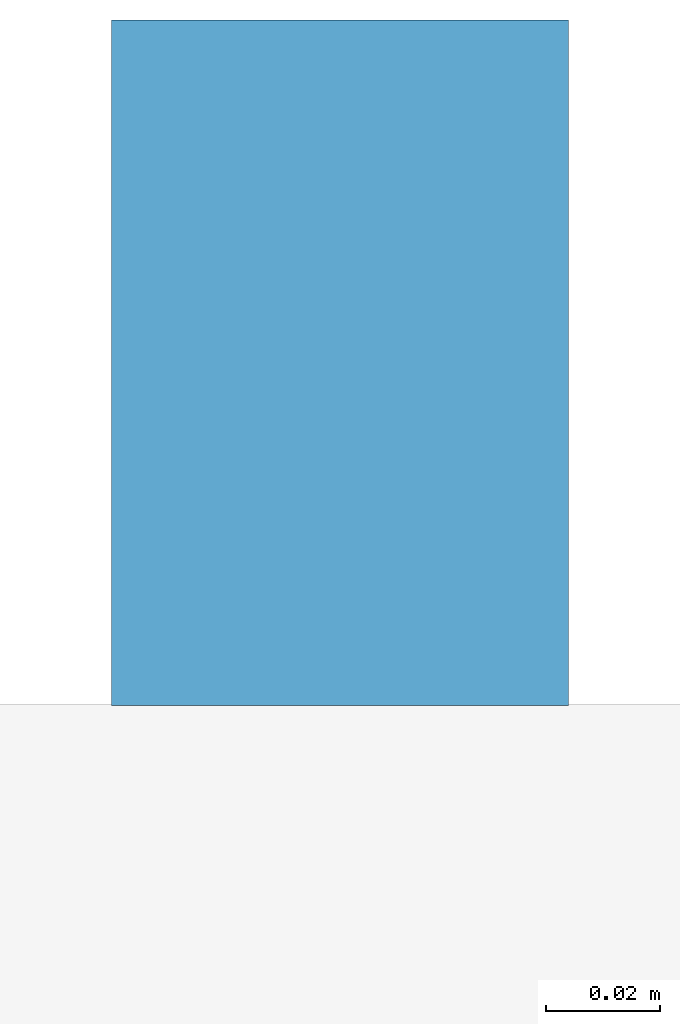
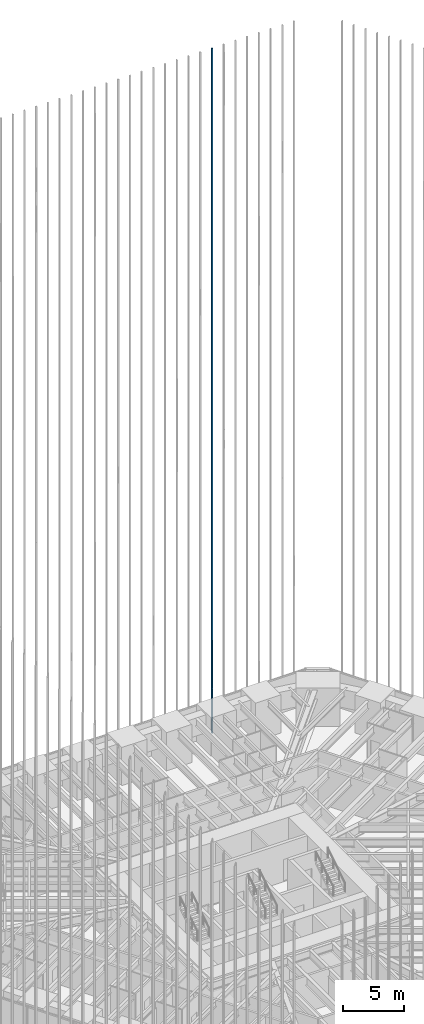
# One storey, part 228 of 256: 1 member, 1 element without a shape of its own.
"""IFC4 building model written with IfcOpenShell, lengths in metres."""

from ifc_helpers import new_model, si_unit, direction, frame, origin, origin_2d, place, context, subcontext, project, spatial, rectangle, extrude, material, material_profile, profile_set, type_object, element, aggregate, save


model = new_model("IFC4")

# Units and contexts
model_context = context("Model", 3, precision=1e-05, world=origin(), true_north=direction((0.0, 1.0)))
body_context = subcontext(model_context, "Body", "Model", "MODEL_VIEW")
ifc_project = project(units=[si_unit("LENGTHUNIT", "METRE"), si_unit("AREAUNIT", "SQUARE_METRE"), si_unit("VOLUMEUNIT", "CUBIC_METRE"), si_unit("PLANEANGLEUNIT", "RADIAN"), si_unit("MASSUNIT", "GRAM", prefix="KILO")], contexts=[model_context])

# Site, building, storey
site_placement = place(None, origin())
site = spatial("IfcSite", under=ifc_project, at=site_placement, CompositionType="ELEMENT")
building_placement = place(site_placement, origin())
building = spatial("IfcBuilding", under=site, at=building_placement, Name="Sandreach Pilgrim Tower", CompositionType="ELEMENT")
storey_placement = place(building_placement, frame((0.0, 0.0, 23.0)))
storey = spatial("IfcBuildingStorey", under=building, at=storey_placement, Name="L04", CompositionType="ELEMENT", Elevation=23.0)

# Curtain wall, member
ifc_material_1 = material(Name="Aluminium framed curtain wall", Category="aluminium")
curtain_wall_type = type_object("IfcCurtainWallType", Name="Hostel tower curtain wall", PredefinedType="NOTDEFINED", material=ifc_material_1)
curtain_wall_placement = place(storey_placement, origin())
curtain_wall = element("IfcCurtainWall", 1, at=curtain_wall_placement, inside=storey, type_object=curtain_wall_type, Name="CW-1 L04 N", PredefinedType="NOTDEFINED")
ifc_material_2 = material(Name="Extruded terracotta on aluminium core", Category="masonry")
ifc_material_profile = material_profile(ifc_material_2, rectangle(XDim=0.080078125, YDim=0.1201171875, at=origin_2d()), Name="TBN 80X120")
ifc_profile_set = profile_set([ifc_material_profile], Name="Extruded terracotta on aluminium core")
member_type = type_object("IfcMemberType", Name="Terracotta baguette north", PredefinedType="USERDEFINED", material=ifc_profile_set)
member_placement = place(storey_placement, frame((11.04443359375, 24.30859375, 0.0), z_axis=(0.0, 0.0, 1.0), x_axis=(1.0, 0.0, 0.0)))
member = element("IfcMember", 2, at=member_placement, type_object=member_type, Name="Baguette Z1 N28", ObjectType="BAGUETTE", PredefinedType="USERDEFINED", context=body_context, shape_type="SweptSolid", body=[
    extrude(rectangle(XDim=0.080078125, YDim=0.1201171875, at=origin_2d()), origin(), (0.0, 0.0, 1.0), 68.239990234375),
])
aggregate(curtain_wall, [member])

save(model, "model.ifc")
